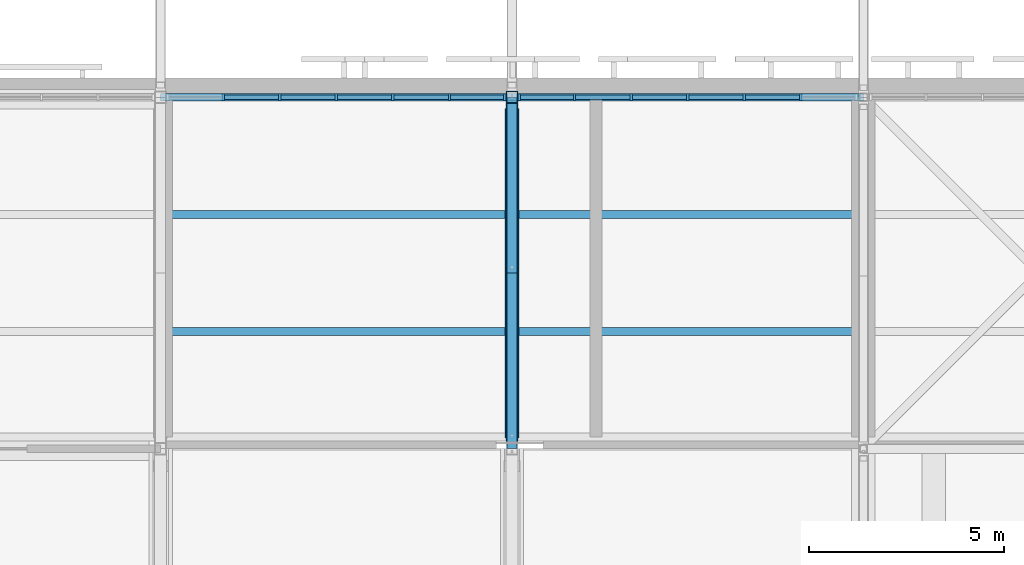
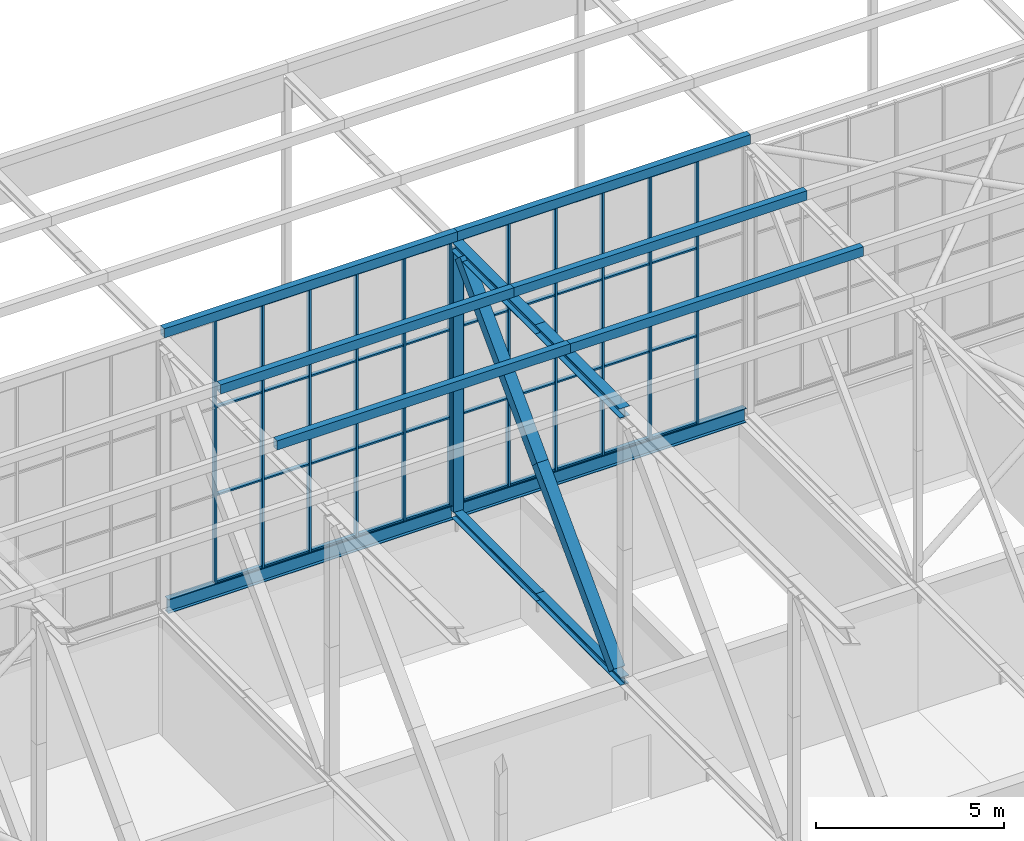
# One storey, part 126 of 646: 66 members, 2 beams, 2 elements without a shape of their own.
"""IFC4 building model written with IfcOpenShell, lengths in metres."""

from ifc_helpers import new_model, si_unit, direction, frame, origin, origin_2d, place, context, subcontext, project, spatial, rectangle, hollow_rectangle, i_section, extrude, material, material_profile, profile_set, type_object, element, aggregate, save


model = new_model("IFC4")

# Units and contexts
model_context = context("Model", 3, precision=1e-05, world=origin(), true_north=direction((0.0, 1.0)))
body_context = subcontext(model_context, "Body", "Model", "MODEL_VIEW")
ifc_project = project(units=[si_unit("LENGTHUNIT", "METRE"), si_unit("AREAUNIT", "SQUARE_METRE"), si_unit("VOLUMEUNIT", "CUBIC_METRE"), si_unit("PLANEANGLEUNIT", "RADIAN"), si_unit("MASSUNIT", "GRAM", prefix="KILO")], contexts=[model_context])

# Site, building, storey
site_placement = place(None, origin())
site = spatial("IfcSite", under=ifc_project, at=site_placement, CompositionType="ELEMENT")
building_placement = place(site_placement, origin())
building = spatial("IfcBuilding", under=site, at=building_placement, Name="Silverbay Arena", CompositionType="ELEMENT")
storey_placement = place(building_placement, frame((0.0, 0.0, 33.5)))
storey = spatial("IfcBuildingStorey", under=building, at=storey_placement, Name="L05", CompositionType="ELEMENT", Elevation=33.5)

# Members
ifc_material_1 = material(Name="Steel S355", Category="steel")
ifc_material_profile_1 = material_profile(ifc_material_1, i_section(OverallWidth=0.2587890625, OverallDepth=0.2666015625, WebThickness=0.0126953125, FlangeThickness=0.0205078125, at=origin_2d()), Name="UC 254x254x107")
ifc_profile_set_1 = profile_set([ifc_material_profile_1], Name="Steel S355")
member_type_1 = type_object("IfcMemberType", Name="Main-span bottom chord UC 254x254x107", PredefinedType="CHORD", material=ifc_profile_set_1)
for number, where, z_axis, x_axis, name in (
    (1, (153.0, 135.0, 4.13330078125), (0.0, 1.0, 0.0), (-1.0, 0.0, 0.0), "ROOF TRUSS 18 bottom chord 15a"),
    (2, (153.0, 139.5, 4.13330078125), (0.0, 1.0, 0.0), (-1.0, 0.0, 0.0), "ROOF TRUSS 18 bottom chord 15b"),
):
    element("IfcMember", number, at=place(storey_placement, frame(where, z_axis=z_axis, x_axis=x_axis)), inside=storey, type_object=member_type_1, Name=name, PredefinedType="CHORD", context=body_context, shape_type="SweptSolid", body=[
        extrude(i_section(OverallWidth=0.2587890625, OverallDepth=0.2666015625, WebThickness=0.0126953125, FlangeThickness=0.0205078125, at=origin_2d()), origin(), (0.0, 0.0, 1.0), 4.5),
    ])
ifc_material_2 = material(Name="Steel S355", Category="steel")
ifc_material_profile_2 = material_profile(ifc_material_2, i_section(OverallWidth=0.307373046875, OverallDepth=0.314453125, WebThickness=0.011962890625, FlangeThickness=0.018798828125, at=origin_2d()), Name="UC 305x305x118")
ifc_profile_set_2 = profile_set([ifc_material_profile_2], Name="Steel S355")
member_type_2 = type_object("IfcMemberType", Name="Main-span top chord UC 305x305x118", PredefinedType="CHORD", material=ifc_profile_set_2)
for number, where, z_axis, x_axis, name in (
    (3, (153.0, 135.0, 12.8427734375), (0.0, 1.0, 0.0), (-1.0, 0.0, 0.0), "ROOF TRUSS 18 top chord 15a"),
    (4, (153.0, 139.5, 12.8427734375), (0.0, 1.0, 0.0), (-1.0, 0.0, 0.0), "ROOF TRUSS 18 top chord 15b"),
):
    element("IfcMember", number, at=place(storey_placement, frame(where, z_axis=z_axis, x_axis=x_axis)), inside=storey, type_object=member_type_2, Name=name, PredefinedType="CHORD", context=body_context, shape_type="SweptSolid", body=[
        extrude(i_section(OverallWidth=0.307373046875, OverallDepth=0.314453125, WebThickness=0.011962890625, FlangeThickness=0.018798828125, at=origin_2d()), origin(), (0.0, 0.0, 1.0), 4.5),
    ])
ifc_material_3 = material(Name="Steel S355", Category="steel")
ifc_material_profile_3 = material_profile(ifc_material_3, hollow_rectangle(XDim=0.35009765625, YDim=0.35009765625, WallThickness=0.01611328125, at=origin_2d()), Name="SHS 350x350x16")
ifc_profile_set_3 = profile_set([ifc_material_profile_3], Name="Steel S355")
member_type_3 = type_object("IfcMemberType", Name="Main-span truss diagonal SHS 350x350x16", PredefinedType="BRACE", material=ifc_profile_set_3)
for number, where, z_axis, x_axis, name in (
    (5, (153.0, 143.59375, 12.685546875), (0.0, -0.697184071327, -0.716892161129), (1.0, 0.0, 0.0), "ROOF TRUSS 18 diagonal 15a"),
    (6, (153.0, 139.5, 8.47607421875), (0.0, -0.697184071327, -0.716892161129), (1.0, 0.0, 0.0), "ROOF TRUSS 18 diagonal 15b"),
):
    element("IfcMember", number, at=place(storey_placement, frame(where, z_axis=z_axis, x_axis=x_axis)), inside=storey, type_object=member_type_3, Name=name, PredefinedType="BRACE", context=body_context, shape_type="SweptSolid", body=[
        extrude(hollow_rectangle(XDim=0.35009765625, YDim=0.35009765625, WallThickness=0.01611328125, at=origin_2d()), origin(), (0.0, 0.0, 1.0), 5.871826171875),
    ])
ifc_material_4 = material(Name="Steel S355", Category="steel")
ifc_material_profile_4 = material_profile(ifc_material_4, hollow_rectangle(XDim=0.300048828125, YDim=0.300048828125, WallThickness=0.012451171875, at=origin_2d()), Name="SHS 300x300x12.5")
ifc_profile_set_4 = profile_set([ifc_material_profile_4], Name="Steel S355")
member_type_4 = type_object("IfcMemberType", Name="Main-span truss vertical SHS 300x300x12.5", PredefinedType="STRUT", material=ifc_profile_set_4)
for number, where, z_axis, x_axis, name in (
    (7, (153.0, 144.0, 4.2666015625), (0.0, 0.0, 1.0), (1.0, 0.0, 0.0), "ROOF TRUSS 18 vertical 16a"),
    (8, (153.0, 144.0, 8.47607421875), (0.0, 0.0, 1.0), (1.0, 0.0, 0.0), "ROOF TRUSS 18 vertical 16b"),
):
    element("IfcMember", number, at=place(storey_placement, frame(where, z_axis=z_axis, x_axis=x_axis)), inside=storey, type_object=member_type_4, Name=name, PredefinedType="STRUT", context=body_context, shape_type="SweptSolid", body=[
        extrude(hollow_rectangle(XDim=0.300048828125, YDim=0.300048828125, WallThickness=0.012451171875, at=origin_2d()), origin(), (0.0, 0.0, 1.0), 4.20947265625),
    ])

# Curtain wall, members
ifc_material_5 = material(Name="Aluminium framed glazing", Category="aluminium")
curtain_wall_type = type_object("IfcCurtainWallType", Name="Curtain wall clerestory 8693 x 8540", PredefinedType="NOTDEFINED", material=ifc_material_5)
curtain_wall_1_placement = place(storey_placement, origin())
curtain_wall_1 = element("IfcCurtainWall", 9, at=curtain_wall_1_placement, inside=storey, type_object=curtain_wall_type, Name="ROOF CLERESTORY CURTAIN WALL north bay 11", PredefinedType="NOTDEFINED")
ifc_material_6 = material(Name="Aluminium", Category="aluminium")
ifc_material_profile_5 = material_profile(ifc_material_6, rectangle(XDim=0.159912109375, YDim=0.06005859375, at=origin_2d()), Name="Mullion 60 x 160")
ifc_profile_set_5 = profile_set([ifc_material_profile_5], Name="Aluminium")
member_type_5 = type_object("IfcMemberType", Name="Mullion 60 x 160", PredefinedType="MULLION", material=ifc_profile_set_5)
member_1_placement = place(storey_placement, frame((145.6025390625, 144.0, 4.4599609375), z_axis=(0.0, 0.0, 1.0), x_axis=(0.0, 1.0, 0.0)))
member_1 = element("IfcMember", 10, at=member_1_placement, type_object=member_type_5, Name="CW55 mullion 2", PredefinedType="MULLION", context=body_context, shape_type="SweptSolid", body=[
    extrude(rectangle(XDim=0.159912109375, YDim=0.06005859375, at=origin_2d()), origin(), (0.0, 0.0, 1.0), 8.5400390625),
])
member_2_placement = place(storey_placement, frame((147.05126953125, 144.0, 4.4599609375), z_axis=(0.0, 0.0, 1.0), x_axis=(0.0, 1.0, 0.0)))
member_2 = element("IfcMember", 11, at=member_2_placement, type_object=member_type_5, Name="CW55 mullion 3", PredefinedType="MULLION", context=body_context, shape_type="SweptSolid", body=[
    extrude(rectangle(XDim=0.159912109375, YDim=0.06005859375, at=origin_2d()), origin(), (0.0, 0.0, 1.0), 8.5400390625),
])
member_3_placement = place(storey_placement, frame((148.5, 144.0, 4.4599609375), z_axis=(0.0, 0.0, 1.0), x_axis=(0.0, 1.0, 0.0)))
member_3 = element("IfcMember", 12, at=member_3_placement, type_object=member_type_5, Name="CW55 mullion 4", PredefinedType="MULLION", context=body_context, shape_type="SweptSolid", body=[
    extrude(rectangle(XDim=0.159912109375, YDim=0.06005859375, at=origin_2d()), origin(), (0.0, 0.0, 1.0), 8.5400390625),
])
member_4_placement = place(storey_placement, frame((149.94873046875, 144.0, 4.4599609375), z_axis=(0.0, 0.0, 1.0), x_axis=(0.0, 1.0, 0.0)))
member_4 = element("IfcMember", 13, at=member_4_placement, type_object=member_type_5, Name="CW55 mullion 5", PredefinedType="MULLION", context=body_context, shape_type="SweptSolid", body=[
    extrude(rectangle(XDim=0.159912109375, YDim=0.06005859375, at=origin_2d()), origin(), (0.0, 0.0, 1.0), 8.5400390625),
])
member_5_placement = place(storey_placement, frame((151.3974609375, 144.0, 4.4599609375), z_axis=(0.0, 0.0, 1.0), x_axis=(0.0, 1.0, 0.0)))
member_5 = element("IfcMember", 14, at=member_5_placement, type_object=member_type_5, Name="CW55 mullion 6", PredefinedType="MULLION", context=body_context, shape_type="SweptSolid", body=[
    extrude(rectangle(XDim=0.159912109375, YDim=0.06005859375, at=origin_2d()), origin(), (0.0, 0.0, 1.0), 8.5400390625),
])
member_6_placement = place(storey_placement, frame((152.81640625, 144.0, 4.4599609375), z_axis=(0.0, 0.0, 1.0), x_axis=(0.0, 1.0, 0.0)))
member_6 = element("IfcMember", 15, at=member_6_placement, type_object=member_type_5, Name="CW55 mullion 7", PredefinedType="MULLION", context=body_context, shape_type="SweptSolid", body=[
    extrude(rectangle(XDim=0.159912109375, YDim=0.06005859375, at=origin_2d()), origin(), (0.0, 0.0, 1.0), 8.5400390625),
])

curtain_wall_2_placement = place(storey_placement, origin())
curtain_wall_2 = element("IfcCurtainWall", 16, at=curtain_wall_2_placement, inside=storey, type_object=curtain_wall_type, Name="ROOF CLERESTORY CURTAIN WALL north bay 12", PredefinedType="NOTDEFINED")
member_7_placement = place(storey_placement, frame((153.18359375, 144.0, 4.4599609375), z_axis=(0.0, 0.0, 1.0), x_axis=(0.0, 1.0, 0.0)))
member_7 = element("IfcMember", 17, at=member_7_placement, type_object=member_type_5, Name="CW55 mullion 1", PredefinedType="MULLION", context=body_context, shape_type="SweptSolid", body=[
    extrude(rectangle(XDim=0.159912109375, YDim=0.06005859375, at=origin_2d()), origin(), (0.0, 0.0, 1.0), 8.5400390625),
])
member_8_placement = place(storey_placement, frame((154.6025390625, 144.0, 4.4599609375), z_axis=(0.0, 0.0, 1.0), x_axis=(0.0, 1.0, 0.0)))
member_8 = element("IfcMember", 18, at=member_8_placement, type_object=member_type_5, Name="CW55 mullion 2", PredefinedType="MULLION", context=body_context, shape_type="SweptSolid", body=[
    extrude(rectangle(XDim=0.159912109375, YDim=0.06005859375, at=origin_2d()), origin(), (0.0, 0.0, 1.0), 8.5400390625),
])
member_9_placement = place(storey_placement, frame((156.05126953125, 144.0, 4.4599609375), z_axis=(0.0, 0.0, 1.0), x_axis=(0.0, 1.0, 0.0)))
member_9 = element("IfcMember", 19, at=member_9_placement, type_object=member_type_5, Name="CW55 mullion 3", PredefinedType="MULLION", context=body_context, shape_type="SweptSolid", body=[
    extrude(rectangle(XDim=0.159912109375, YDim=0.06005859375, at=origin_2d()), origin(), (0.0, 0.0, 1.0), 8.5400390625),
])
member_10_placement = place(storey_placement, frame((157.5, 144.0, 4.4599609375), z_axis=(0.0, 0.0, 1.0), x_axis=(0.0, 1.0, 0.0)))
member_10 = element("IfcMember", 20, at=member_10_placement, type_object=member_type_5, Name="CW55 mullion 4", PredefinedType="MULLION", context=body_context, shape_type="SweptSolid", body=[
    extrude(rectangle(XDim=0.159912109375, YDim=0.06005859375, at=origin_2d()), origin(), (0.0, 0.0, 1.0), 8.5400390625),
])
member_11_placement = place(storey_placement, frame((158.94873046875, 144.0, 4.4599609375), z_axis=(0.0, 0.0, 1.0), x_axis=(0.0, 1.0, 0.0)))
member_11 = element("IfcMember", 21, at=member_11_placement, type_object=member_type_5, Name="CW55 mullion 5", PredefinedType="MULLION", context=body_context, shape_type="SweptSolid", body=[
    extrude(rectangle(XDim=0.159912109375, YDim=0.06005859375, at=origin_2d()), origin(), (0.0, 0.0, 1.0), 8.5400390625),
])
member_12_placement = place(storey_placement, frame((160.3974609375, 144.0, 4.4599609375), z_axis=(0.0, 0.0, 1.0), x_axis=(0.0, 1.0, 0.0)))
member_12 = element("IfcMember", 22, at=member_12_placement, type_object=member_type_5, Name="CW55 mullion 6", PredefinedType="MULLION", context=body_context, shape_type="SweptSolid", body=[
    extrude(rectangle(XDim=0.159912109375, YDim=0.06005859375, at=origin_2d()), origin(), (0.0, 0.0, 1.0), 8.5400390625),
])

# Members
ifc_material_7 = material(Name="Steel S355", Category="steel")
ifc_material_profile_6 = material_profile(ifc_material_7, hollow_rectangle(XDim=0.199951171875, YDim=0.300048828125, WallThickness=0.00634765625, at=origin_2d()), Name="RHS 300x200x6.3")
ifc_profile_set_6 = profile_set([ifc_material_profile_6], Name="Steel S355")
member_type_6 = type_object("IfcMemberType", Name="Purlin RHS 300x200x6.3", PredefinedType="PURLIN", material=ifc_profile_set_6)
for number, where, z_axis, x_axis, name in (
    (23, (144.0, 138.0, 13.14990234375), (1.0, 0.0, 0.0), (0.0, 1.0, 0.0), "ROOF PURLIN 17-18 line 44"),
    (24, (153.0, 138.0, 13.14990234375), (1.0, 0.0, 0.0), (0.0, 1.0, 0.0), "ROOF PURLIN 18-19 line 44"),
):
    element("IfcMember", number, at=place(storey_placement, frame(where, z_axis=z_axis, x_axis=x_axis)), inside=storey, type_object=member_type_6, Name=name, PredefinedType="PURLIN", context=body_context, shape_type="SweptSolid", body=[
        extrude(hollow_rectangle(XDim=0.199951171875, YDim=0.300048828125, WallThickness=0.00634765625, at=origin_2d()), origin(), (0.0, 0.0, 1.0), 9.0),
    ])
ifc_material_8 = material(Name="Steel S355", Category="steel")
ifc_material_profile_7 = material_profile(ifc_material_8, hollow_rectangle(XDim=0.199951171875, YDim=0.300048828125, WallThickness=0.008056640625, at=origin_2d()), Name="RHS 300x200x8")
ifc_profile_set_7 = profile_set([ifc_material_profile_7], Name="Steel S355")
member_type_7 = type_object("IfcMemberType", Name="Purlin RHS 300x200x8", PredefinedType="PURLIN", material=ifc_profile_set_7)
for number, where, z_axis, x_axis, name in (
    (25, (144.0, 141.0, 13.14990234375), (1.0, 0.0, 0.0), (0.0, 1.0, 0.0), "ROOF PURLIN 17-18 line 45"),
    (26, (144.0, 144.0, 13.14990234375), (1.0, 0.0, 0.0), (0.0, 1.0, 0.0), "ROOF PURLIN 17-18 line 46"),
    (27, (153.0, 141.0, 13.14990234375), (1.0, 0.0, 0.0), (0.0, 1.0, 0.0), "ROOF PURLIN 18-19 line 45"),
    (28, (153.0, 144.0, 13.14990234375), (1.0, 0.0, 0.0), (0.0, 1.0, 0.0), "ROOF PURLIN 18-19 line 46"),
):
    element("IfcMember", number, at=place(storey_placement, frame(where, z_axis=z_axis, x_axis=x_axis)), inside=storey, type_object=member_type_7, Name=name, PredefinedType="PURLIN", context=body_context, shape_type="SweptSolid", body=[
        extrude(hollow_rectangle(XDim=0.199951171875, YDim=0.300048828125, WallThickness=0.008056640625, at=origin_2d()), origin(), (0.0, 0.0, 1.0), 9.0),
    ])

# Beams
ifc_material_9 = material(Name="Steel S355", Category="steel")
ifc_material_profile_8 = material_profile(ifc_material_9, i_section(OverallWidth=0.19140625, OverallDepth=0.4599609375, WebThickness=0.010009765625, FlangeThickness=0.01611328125, at=origin_2d()), Name="UB 457x191x82")
ifc_profile_set_8 = profile_set([ifc_material_profile_8], Name="Steel S355")
beam_type = type_object("IfcBeamType", Name="Ring beam UB 457x191x82", PredefinedType="BEAM", material=ifc_profile_set_8)
beam_1_placement = place(storey_placement, frame((144.12939453125, 144.0, 4.22998046875), z_axis=(1.0, 0.0, 0.0), x_axis=(0.0, 1.0, 0.0)))
element("IfcBeam", 29, at=beam_1_placement, inside=storey, type_object=beam_type, Name="RING BEAM north facade 17-18", PredefinedType="BEAM", context=body_context, shape_type="SweptSolid", body=[
    extrude(i_section(OverallWidth=0.19140625, OverallDepth=0.4599609375, WebThickness=0.010009765625, FlangeThickness=0.01611328125, at=origin_2d()), origin(), (0.0, 0.0, 1.0), 8.7412109375),
])
beam_2_placement = place(storey_placement, frame((153.12939453125, 144.0, 4.22998046875), z_axis=(1.0, 0.0, 0.0), x_axis=(0.0, 1.0, 0.0)))
element("IfcBeam", 30, at=beam_2_placement, inside=storey, type_object=beam_type, Name="RING BEAM north facade 18-19", PredefinedType="BEAM", context=body_context, shape_type="SweptSolid", body=[
    extrude(i_section(OverallWidth=0.19140625, OverallDepth=0.4599609375, WebThickness=0.010009765625, FlangeThickness=0.01611328125, at=origin_2d()), origin(), (0.0, 0.0, 1.0), 8.743408203125),
])

# Member
ifc_material_10 = material(Name="Aluminium", Category="aluminium")
ifc_material_profile_9 = material_profile(ifc_material_10, rectangle(XDim=0.1201171875, YDim=0.050048828125, at=origin_2d()), Name="Transom 50 x 120")
ifc_profile_set_9 = profile_set([ifc_material_profile_9], Name="Aluminium")
member_type_8 = type_object("IfcMemberType", Name="Transom 50 x 120", PredefinedType="USERDEFINED", material=ifc_profile_set_9)
member_13_placement = place(storey_placement, frame((145.632568359375, 144.0, 4.485107421875), z_axis=(1.0, 0.0, 0.0), x_axis=(0.0, 1.0, 0.0)))
member_13 = element("IfcMember", 31, at=member_13_placement, type_object=member_type_8, Name="CW55 transom 2.1", ObjectType="TRANSOM", PredefinedType="USERDEFINED", context=body_context, shape_type="SweptSolid", body=[
    extrude(rectangle(XDim=0.1201171875, YDim=0.050048828125, at=origin_2d()), origin(), (0.0, 0.0, 1.0), 1.388671875),
])

member_14_placement = place(storey_placement, frame((145.632568359375, 144.0, 7.306640625), z_axis=(1.0, 0.0, 0.0), x_axis=(0.0, 1.0, 0.0)))
member_14 = element("IfcMember", 32, at=member_14_placement, type_object=member_type_8, Name="CW55 transom 2.2", ObjectType="TRANSOM", PredefinedType="USERDEFINED", context=body_context, shape_type="SweptSolid", body=[
    extrude(rectangle(XDim=0.1201171875, YDim=0.050048828125, at=origin_2d()), origin(), (0.0, 0.0, 1.0), 1.388671875),
])

member_15_placement = place(storey_placement, frame((145.632568359375, 144.0, 10.1533203125), z_axis=(1.0, 0.0, 0.0), x_axis=(0.0, 1.0, 0.0)))
member_15 = element("IfcMember", 33, at=member_15_placement, type_object=member_type_8, Name="CW55 transom 2.3", ObjectType="TRANSOM", PredefinedType="USERDEFINED", context=body_context, shape_type="SweptSolid", body=[
    extrude(rectangle(XDim=0.1201171875, YDim=0.050048828125, at=origin_2d()), origin(), (0.0, 0.0, 1.0), 1.388671875),
])

member_16_placement = place(storey_placement, frame((145.632568359375, 144.0, 12.97509765625), z_axis=(1.0, 0.0, 0.0), x_axis=(0.0, 1.0, 0.0)))
member_16 = element("IfcMember", 34, at=member_16_placement, type_object=member_type_8, Name="CW55 transom 2.4", ObjectType="TRANSOM", PredefinedType="USERDEFINED", context=body_context, shape_type="SweptSolid", body=[
    extrude(rectangle(XDim=0.1201171875, YDim=0.050048828125, at=origin_2d()), origin(), (0.0, 0.0, 1.0), 1.388671875),
])

member_17_placement = place(storey_placement, frame((147.081298828125, 144.0, 4.485107421875), z_axis=(1.0, 0.0, 0.0), x_axis=(0.0, 1.0, 0.0)))
member_17 = element("IfcMember", 35, at=member_17_placement, type_object=member_type_8, Name="CW55 transom 3.1", ObjectType="TRANSOM", PredefinedType="USERDEFINED", context=body_context, shape_type="SweptSolid", body=[
    extrude(rectangle(XDim=0.1201171875, YDim=0.050048828125, at=origin_2d()), origin(), (0.0, 0.0, 1.0), 1.388671875),
])

member_18_placement = place(storey_placement, frame((147.081298828125, 144.0, 7.306640625), z_axis=(1.0, 0.0, 0.0), x_axis=(0.0, 1.0, 0.0)))
member_18 = element("IfcMember", 36, at=member_18_placement, type_object=member_type_8, Name="CW55 transom 3.2", ObjectType="TRANSOM", PredefinedType="USERDEFINED", context=body_context, shape_type="SweptSolid", body=[
    extrude(rectangle(XDim=0.1201171875, YDim=0.050048828125, at=origin_2d()), origin(), (0.0, 0.0, 1.0), 1.388671875),
])

member_19_placement = place(storey_placement, frame((147.081298828125, 144.0, 10.1533203125), z_axis=(1.0, 0.0, 0.0), x_axis=(0.0, 1.0, 0.0)))
member_19 = element("IfcMember", 37, at=member_19_placement, type_object=member_type_8, Name="CW55 transom 3.3", ObjectType="TRANSOM", PredefinedType="USERDEFINED", context=body_context, shape_type="SweptSolid", body=[
    extrude(rectangle(XDim=0.1201171875, YDim=0.050048828125, at=origin_2d()), origin(), (0.0, 0.0, 1.0), 1.388671875),
])

member_20_placement = place(storey_placement, frame((147.081298828125, 144.0, 12.97509765625), z_axis=(1.0, 0.0, 0.0), x_axis=(0.0, 1.0, 0.0)))
member_20 = element("IfcMember", 38, at=member_20_placement, type_object=member_type_8, Name="CW55 transom 3.4", ObjectType="TRANSOM", PredefinedType="USERDEFINED", context=body_context, shape_type="SweptSolid", body=[
    extrude(rectangle(XDim=0.1201171875, YDim=0.050048828125, at=origin_2d()), origin(), (0.0, 0.0, 1.0), 1.388671875),
])

member_21_placement = place(storey_placement, frame((148.530029296875, 144.0, 4.485107421875), z_axis=(1.0, 0.0, 0.0), x_axis=(0.0, 1.0, 0.0)))
member_21 = element("IfcMember", 39, at=member_21_placement, type_object=member_type_8, Name="CW55 transom 4.1", ObjectType="TRANSOM", PredefinedType="USERDEFINED", context=body_context, shape_type="SweptSolid", body=[
    extrude(rectangle(XDim=0.1201171875, YDim=0.050048828125, at=origin_2d()), origin(), (0.0, 0.0, 1.0), 1.388671875),
])

member_22_placement = place(storey_placement, frame((148.530029296875, 144.0, 7.306640625), z_axis=(1.0, 0.0, 0.0), x_axis=(0.0, 1.0, 0.0)))
member_22 = element("IfcMember", 40, at=member_22_placement, type_object=member_type_8, Name="CW55 transom 4.2", ObjectType="TRANSOM", PredefinedType="USERDEFINED", context=body_context, shape_type="SweptSolid", body=[
    extrude(rectangle(XDim=0.1201171875, YDim=0.050048828125, at=origin_2d()), origin(), (0.0, 0.0, 1.0), 1.388671875),
])

member_23_placement = place(storey_placement, frame((148.530029296875, 144.0, 10.1533203125), z_axis=(1.0, 0.0, 0.0), x_axis=(0.0, 1.0, 0.0)))
member_23 = element("IfcMember", 41, at=member_23_placement, type_object=member_type_8, Name="CW55 transom 4.3", ObjectType="TRANSOM", PredefinedType="USERDEFINED", context=body_context, shape_type="SweptSolid", body=[
    extrude(rectangle(XDim=0.1201171875, YDim=0.050048828125, at=origin_2d()), origin(), (0.0, 0.0, 1.0), 1.388671875),
])

member_24_placement = place(storey_placement, frame((148.530029296875, 144.0, 12.97509765625), z_axis=(1.0, 0.0, 0.0), x_axis=(0.0, 1.0, 0.0)))
member_24 = element("IfcMember", 42, at=member_24_placement, type_object=member_type_8, Name="CW55 transom 4.4", ObjectType="TRANSOM", PredefinedType="USERDEFINED", context=body_context, shape_type="SweptSolid", body=[
    extrude(rectangle(XDim=0.1201171875, YDim=0.050048828125, at=origin_2d()), origin(), (0.0, 0.0, 1.0), 1.388671875),
])

member_25_placement = place(storey_placement, frame((149.978759765625, 144.0, 4.485107421875), z_axis=(1.0, 0.0, 0.0), x_axis=(0.0, 1.0, 0.0)))
member_25 = element("IfcMember", 43, at=member_25_placement, type_object=member_type_8, Name="CW55 transom 5.1", ObjectType="TRANSOM", PredefinedType="USERDEFINED", context=body_context, shape_type="SweptSolid", body=[
    extrude(rectangle(XDim=0.1201171875, YDim=0.050048828125, at=origin_2d()), origin(), (0.0, 0.0, 1.0), 1.388671875),
])

member_26_placement = place(storey_placement, frame((149.978759765625, 144.0, 7.306640625), z_axis=(1.0, 0.0, 0.0), x_axis=(0.0, 1.0, 0.0)))
member_26 = element("IfcMember", 44, at=member_26_placement, type_object=member_type_8, Name="CW55 transom 5.2", ObjectType="TRANSOM", PredefinedType="USERDEFINED", context=body_context, shape_type="SweptSolid", body=[
    extrude(rectangle(XDim=0.1201171875, YDim=0.050048828125, at=origin_2d()), origin(), (0.0, 0.0, 1.0), 1.388671875),
])

member_27_placement = place(storey_placement, frame((149.978759765625, 144.0, 10.1533203125), z_axis=(1.0, 0.0, 0.0), x_axis=(0.0, 1.0, 0.0)))
member_27 = element("IfcMember", 45, at=member_27_placement, type_object=member_type_8, Name="CW55 transom 5.3", ObjectType="TRANSOM", PredefinedType="USERDEFINED", context=body_context, shape_type="SweptSolid", body=[
    extrude(rectangle(XDim=0.1201171875, YDim=0.050048828125, at=origin_2d()), origin(), (0.0, 0.0, 1.0), 1.388671875),
])

member_28_placement = place(storey_placement, frame((149.978759765625, 144.0, 12.97509765625), z_axis=(1.0, 0.0, 0.0), x_axis=(0.0, 1.0, 0.0)))
member_28 = element("IfcMember", 46, at=member_28_placement, type_object=member_type_8, Name="CW55 transom 5.4", ObjectType="TRANSOM", PredefinedType="USERDEFINED", context=body_context, shape_type="SweptSolid", body=[
    extrude(rectangle(XDim=0.1201171875, YDim=0.050048828125, at=origin_2d()), origin(), (0.0, 0.0, 1.0), 1.388671875),
])

member_29_placement = place(storey_placement, frame((151.427490234375, 144.0, 4.485107421875), z_axis=(1.0, 0.0, 0.0), x_axis=(0.0, 1.0, 0.0)))
member_29 = element("IfcMember", 47, at=member_29_placement, type_object=member_type_8, Name="CW55 transom 6.1", ObjectType="TRANSOM", PredefinedType="USERDEFINED", context=body_context, shape_type="SweptSolid", body=[
    extrude(rectangle(XDim=0.1201171875, YDim=0.050048828125, at=origin_2d()), origin(), (0.0, 0.0, 1.0), 1.35888671875),
])

member_30_placement = place(storey_placement, frame((151.427490234375, 144.0, 7.306640625), z_axis=(1.0, 0.0, 0.0), x_axis=(0.0, 1.0, 0.0)))
member_30 = element("IfcMember", 48, at=member_30_placement, type_object=member_type_8, Name="CW55 transom 6.2", ObjectType="TRANSOM", PredefinedType="USERDEFINED", context=body_context, shape_type="SweptSolid", body=[
    extrude(rectangle(XDim=0.1201171875, YDim=0.050048828125, at=origin_2d()), origin(), (0.0, 0.0, 1.0), 1.35888671875),
])

member_31_placement = place(storey_placement, frame((151.427490234375, 144.0, 10.1533203125), z_axis=(1.0, 0.0, 0.0), x_axis=(0.0, 1.0, 0.0)))
member_31 = element("IfcMember", 49, at=member_31_placement, type_object=member_type_8, Name="CW55 transom 6.3", ObjectType="TRANSOM", PredefinedType="USERDEFINED", context=body_context, shape_type="SweptSolid", body=[
    extrude(rectangle(XDim=0.1201171875, YDim=0.050048828125, at=origin_2d()), origin(), (0.0, 0.0, 1.0), 1.35888671875),
])

member_32_placement = place(storey_placement, frame((151.427490234375, 144.0, 12.97509765625), z_axis=(1.0, 0.0, 0.0), x_axis=(0.0, 1.0, 0.0)))
member_32 = element("IfcMember", 50, at=member_32_placement, type_object=member_type_8, Name="CW55 transom 6.4", ObjectType="TRANSOM", PredefinedType="USERDEFINED", context=body_context, shape_type="SweptSolid", body=[
    extrude(rectangle(XDim=0.1201171875, YDim=0.050048828125, at=origin_2d()), origin(), (0.0, 0.0, 1.0), 1.35888671875),
])

aggregate(curtain_wall_1, [member_1, member_2, member_3, member_4, member_5, member_6, member_13, member_14, member_15, member_16, member_17, member_18, member_19, member_20, member_21, member_22, member_23, member_24, member_25, member_26, member_27, member_28, member_29, member_30, member_31, member_32])

member_33_placement = place(storey_placement, frame((153.213623046875, 144.0, 4.485107421875), z_axis=(1.0, 0.0, 0.0), x_axis=(0.0, 1.0, 0.0)))
member_33 = element("IfcMember", 51, at=member_33_placement, type_object=member_type_8, Name="CW55 transom 1.1", ObjectType="TRANSOM", PredefinedType="USERDEFINED", context=body_context, shape_type="SweptSolid", body=[
    extrude(rectangle(XDim=0.1201171875, YDim=0.050048828125, at=origin_2d()), origin(), (0.0, 0.0, 1.0), 1.35888671875),
])

member_34_placement = place(storey_placement, frame((153.213623046875, 144.0, 7.306640625), z_axis=(1.0, 0.0, 0.0), x_axis=(0.0, 1.0, 0.0)))
member_34 = element("IfcMember", 52, at=member_34_placement, type_object=member_type_8, Name="CW55 transom 1.2", ObjectType="TRANSOM", PredefinedType="USERDEFINED", context=body_context, shape_type="SweptSolid", body=[
    extrude(rectangle(XDim=0.1201171875, YDim=0.050048828125, at=origin_2d()), origin(), (0.0, 0.0, 1.0), 1.35888671875),
])

member_35_placement = place(storey_placement, frame((153.213623046875, 144.0, 10.1533203125), z_axis=(1.0, 0.0, 0.0), x_axis=(0.0, 1.0, 0.0)))
member_35 = element("IfcMember", 53, at=member_35_placement, type_object=member_type_8, Name="CW55 transom 1.3", ObjectType="TRANSOM", PredefinedType="USERDEFINED", context=body_context, shape_type="SweptSolid", body=[
    extrude(rectangle(XDim=0.1201171875, YDim=0.050048828125, at=origin_2d()), origin(), (0.0, 0.0, 1.0), 1.35888671875),
])

member_36_placement = place(storey_placement, frame((153.213623046875, 144.0, 12.97509765625), z_axis=(1.0, 0.0, 0.0), x_axis=(0.0, 1.0, 0.0)))
member_36 = element("IfcMember", 54, at=member_36_placement, type_object=member_type_8, Name="CW55 transom 1.4", ObjectType="TRANSOM", PredefinedType="USERDEFINED", context=body_context, shape_type="SweptSolid", body=[
    extrude(rectangle(XDim=0.1201171875, YDim=0.050048828125, at=origin_2d()), origin(), (0.0, 0.0, 1.0), 1.35888671875),
])

member_37_placement = place(storey_placement, frame((154.632568359375, 144.0, 4.485107421875), z_axis=(1.0, 0.0, 0.0), x_axis=(0.0, 1.0, 0.0)))
member_37 = element("IfcMember", 55, at=member_37_placement, type_object=member_type_8, Name="CW55 transom 2.1", ObjectType="TRANSOM", PredefinedType="USERDEFINED", context=body_context, shape_type="SweptSolid", body=[
    extrude(rectangle(XDim=0.1201171875, YDim=0.050048828125, at=origin_2d()), origin(), (0.0, 0.0, 1.0), 1.388671875),
])

member_38_placement = place(storey_placement, frame((154.632568359375, 144.0, 7.306640625), z_axis=(1.0, 0.0, 0.0), x_axis=(0.0, 1.0, 0.0)))
member_38 = element("IfcMember", 56, at=member_38_placement, type_object=member_type_8, Name="CW55 transom 2.2", ObjectType="TRANSOM", PredefinedType="USERDEFINED", context=body_context, shape_type="SweptSolid", body=[
    extrude(rectangle(XDim=0.1201171875, YDim=0.050048828125, at=origin_2d()), origin(), (0.0, 0.0, 1.0), 1.388671875),
])

member_39_placement = place(storey_placement, frame((154.632568359375, 144.0, 10.1533203125), z_axis=(1.0, 0.0, 0.0), x_axis=(0.0, 1.0, 0.0)))
member_39 = element("IfcMember", 57, at=member_39_placement, type_object=member_type_8, Name="CW55 transom 2.3", ObjectType="TRANSOM", PredefinedType="USERDEFINED", context=body_context, shape_type="SweptSolid", body=[
    extrude(rectangle(XDim=0.1201171875, YDim=0.050048828125, at=origin_2d()), origin(), (0.0, 0.0, 1.0), 1.388671875),
])

member_40_placement = place(storey_placement, frame((154.632568359375, 144.0, 12.97509765625), z_axis=(1.0, 0.0, 0.0), x_axis=(0.0, 1.0, 0.0)))
member_40 = element("IfcMember", 58, at=member_40_placement, type_object=member_type_8, Name="CW55 transom 2.4", ObjectType="TRANSOM", PredefinedType="USERDEFINED", context=body_context, shape_type="SweptSolid", body=[
    extrude(rectangle(XDim=0.1201171875, YDim=0.050048828125, at=origin_2d()), origin(), (0.0, 0.0, 1.0), 1.388671875),
])

member_41_placement = place(storey_placement, frame((156.081298828125, 144.0, 4.485107421875), z_axis=(1.0, 0.0, 0.0), x_axis=(0.0, 1.0, 0.0)))
member_41 = element("IfcMember", 59, at=member_41_placement, type_object=member_type_8, Name="CW55 transom 3.1", ObjectType="TRANSOM", PredefinedType="USERDEFINED", context=body_context, shape_type="SweptSolid", body=[
    extrude(rectangle(XDim=0.1201171875, YDim=0.050048828125, at=origin_2d()), origin(), (0.0, 0.0, 1.0), 1.388671875),
])

member_42_placement = place(storey_placement, frame((156.081298828125, 144.0, 7.306640625), z_axis=(1.0, 0.0, 0.0), x_axis=(0.0, 1.0, 0.0)))
member_42 = element("IfcMember", 60, at=member_42_placement, type_object=member_type_8, Name="CW55 transom 3.2", ObjectType="TRANSOM", PredefinedType="USERDEFINED", context=body_context, shape_type="SweptSolid", body=[
    extrude(rectangle(XDim=0.1201171875, YDim=0.050048828125, at=origin_2d()), origin(), (0.0, 0.0, 1.0), 1.388671875),
])

member_43_placement = place(storey_placement, frame((156.081298828125, 144.0, 10.1533203125), z_axis=(1.0, 0.0, 0.0), x_axis=(0.0, 1.0, 0.0)))
member_43 = element("IfcMember", 61, at=member_43_placement, type_object=member_type_8, Name="CW55 transom 3.3", ObjectType="TRANSOM", PredefinedType="USERDEFINED", context=body_context, shape_type="SweptSolid", body=[
    extrude(rectangle(XDim=0.1201171875, YDim=0.050048828125, at=origin_2d()), origin(), (0.0, 0.0, 1.0), 1.388671875),
])

member_44_placement = place(storey_placement, frame((156.081298828125, 144.0, 12.97509765625), z_axis=(1.0, 0.0, 0.0), x_axis=(0.0, 1.0, 0.0)))
member_44 = element("IfcMember", 62, at=member_44_placement, type_object=member_type_8, Name="CW55 transom 3.4", ObjectType="TRANSOM", PredefinedType="USERDEFINED", context=body_context, shape_type="SweptSolid", body=[
    extrude(rectangle(XDim=0.1201171875, YDim=0.050048828125, at=origin_2d()), origin(), (0.0, 0.0, 1.0), 1.388671875),
])

member_45_placement = place(storey_placement, frame((157.530029296875, 144.0, 4.485107421875), z_axis=(1.0, 0.0, 0.0), x_axis=(0.0, 1.0, 0.0)))
member_45 = element("IfcMember", 63, at=member_45_placement, type_object=member_type_8, Name="CW55 transom 4.1", ObjectType="TRANSOM", PredefinedType="USERDEFINED", context=body_context, shape_type="SweptSolid", body=[
    extrude(rectangle(XDim=0.1201171875, YDim=0.050048828125, at=origin_2d()), origin(), (0.0, 0.0, 1.0), 1.388671875),
])

member_46_placement = place(storey_placement, frame((157.530029296875, 144.0, 7.306640625), z_axis=(1.0, 0.0, 0.0), x_axis=(0.0, 1.0, 0.0)))
member_46 = element("IfcMember", 64, at=member_46_placement, type_object=member_type_8, Name="CW55 transom 4.2", ObjectType="TRANSOM", PredefinedType="USERDEFINED", context=body_context, shape_type="SweptSolid", body=[
    extrude(rectangle(XDim=0.1201171875, YDim=0.050048828125, at=origin_2d()), origin(), (0.0, 0.0, 1.0), 1.388671875),
])

member_47_placement = place(storey_placement, frame((157.530029296875, 144.0, 10.1533203125), z_axis=(1.0, 0.0, 0.0), x_axis=(0.0, 1.0, 0.0)))
member_47 = element("IfcMember", 65, at=member_47_placement, type_object=member_type_8, Name="CW55 transom 4.3", ObjectType="TRANSOM", PredefinedType="USERDEFINED", context=body_context, shape_type="SweptSolid", body=[
    extrude(rectangle(XDim=0.1201171875, YDim=0.050048828125, at=origin_2d()), origin(), (0.0, 0.0, 1.0), 1.388671875),
])

member_48_placement = place(storey_placement, frame((157.530029296875, 144.0, 12.97509765625), z_axis=(1.0, 0.0, 0.0), x_axis=(0.0, 1.0, 0.0)))
member_48 = element("IfcMember", 66, at=member_48_placement, type_object=member_type_8, Name="CW55 transom 4.4", ObjectType="TRANSOM", PredefinedType="USERDEFINED", context=body_context, shape_type="SweptSolid", body=[
    extrude(rectangle(XDim=0.1201171875, YDim=0.050048828125, at=origin_2d()), origin(), (0.0, 0.0, 1.0), 1.388671875),
])

member_49_placement = place(storey_placement, frame((158.978759765625, 144.0, 4.485107421875), z_axis=(1.0, 0.0, 0.0), x_axis=(0.0, 1.0, 0.0)))
member_49 = element("IfcMember", 67, at=member_49_placement, type_object=member_type_8, Name="CW55 transom 5.1", ObjectType="TRANSOM", PredefinedType="USERDEFINED", context=body_context, shape_type="SweptSolid", body=[
    extrude(rectangle(XDim=0.1201171875, YDim=0.050048828125, at=origin_2d()), origin(), (0.0, 0.0, 1.0), 1.388671875),
])

member_50_placement = place(storey_placement, frame((158.978759765625, 144.0, 7.306640625), z_axis=(1.0, 0.0, 0.0), x_axis=(0.0, 1.0, 0.0)))
member_50 = element("IfcMember", 68, at=member_50_placement, type_object=member_type_8, Name="CW55 transom 5.2", ObjectType="TRANSOM", PredefinedType="USERDEFINED", context=body_context, shape_type="SweptSolid", body=[
    extrude(rectangle(XDim=0.1201171875, YDim=0.050048828125, at=origin_2d()), origin(), (0.0, 0.0, 1.0), 1.388671875),
])

member_51_placement = place(storey_placement, frame((158.978759765625, 144.0, 10.1533203125), z_axis=(1.0, 0.0, 0.0), x_axis=(0.0, 1.0, 0.0)))
member_51 = element("IfcMember", 69, at=member_51_placement, type_object=member_type_8, Name="CW55 transom 5.3", ObjectType="TRANSOM", PredefinedType="USERDEFINED", context=body_context, shape_type="SweptSolid", body=[
    extrude(rectangle(XDim=0.1201171875, YDim=0.050048828125, at=origin_2d()), origin(), (0.0, 0.0, 1.0), 1.388671875),
])

member_52_placement = place(storey_placement, frame((158.978759765625, 144.0, 12.97509765625), z_axis=(1.0, 0.0, 0.0), x_axis=(0.0, 1.0, 0.0)))
member_52 = element("IfcMember", 70, at=member_52_placement, type_object=member_type_8, Name="CW55 transom 5.4", ObjectType="TRANSOM", PredefinedType="USERDEFINED", context=body_context, shape_type="SweptSolid", body=[
    extrude(rectangle(XDim=0.1201171875, YDim=0.050048828125, at=origin_2d()), origin(), (0.0, 0.0, 1.0), 1.388671875),
])

aggregate(curtain_wall_2, [member_7, member_8, member_9, member_10, member_11, member_12, member_33, member_34, member_35, member_36, member_37, member_38, member_39, member_40, member_41, member_42, member_43, member_44, member_45, member_46, member_47, member_48, member_49, member_50, member_51, member_52])

save(model, "model.ifc")
